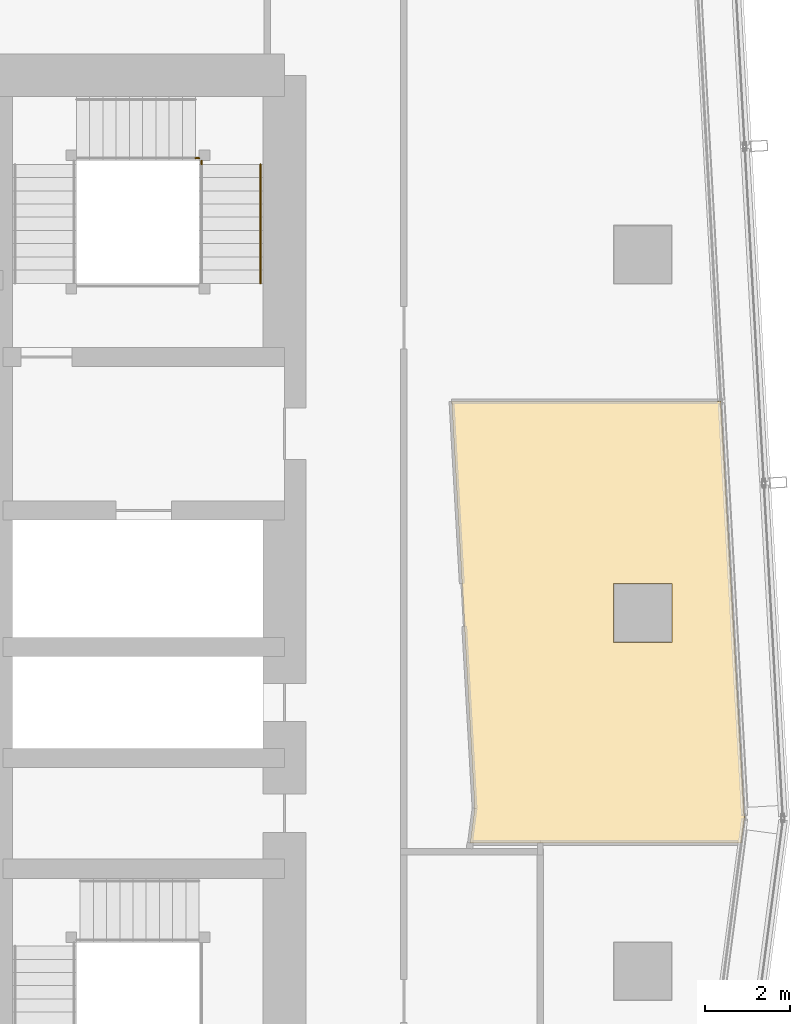
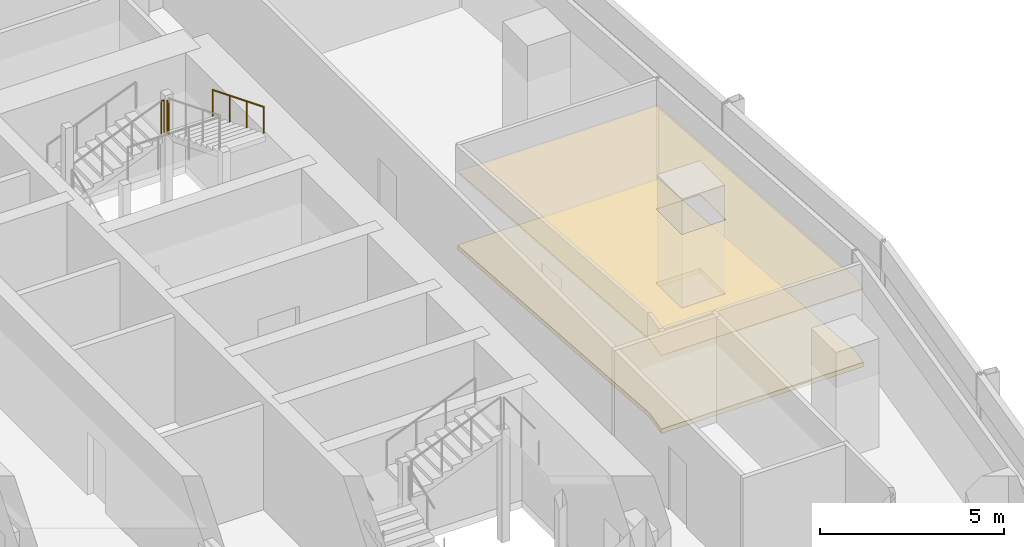
# One storey, part 38 of 39: 3 railings, 2 coverings.
"""IFC4 building model written with IfcOpenShell, lengths in metres."""

from ifc_helpers import new_model, si_unit, direction, frame, origin, origin_2d, place, context, subcontext, project, spatial, polyline, circle, outline, extrude, material, layer, layer_set, type_object, element, save


model = new_model("IFC4")

# Units and contexts
model_context = context("Model", 3, precision=1e-05, world=origin(), true_north=direction((0.0, 1.0)))
body_context = subcontext(model_context, "Body", "Model", "MODEL_VIEW")
ifc_project = project(units=[si_unit("LENGTHUNIT", "METRE"), si_unit("AREAUNIT", "SQUARE_METRE"), si_unit("VOLUMEUNIT", "CUBIC_METRE"), si_unit("PLANEANGLEUNIT", "RADIAN"), si_unit("MASSUNIT", "GRAM", prefix="KILO")], contexts=[model_context])

# Site, building, storey
site_placement = place(None, origin())
site = spatial("IfcSite", under=ifc_project, at=site_placement, CompositionType="ELEMENT")
building_placement = place(site_placement, origin())
building = spatial("IfcBuilding", under=site, at=building_placement, Name="Rekha Terrace Tower", CompositionType="ELEMENT")
storey_placement = place(building_placement, frame((0.0, 0.0, 221.449951171875)))
storey = spatial("IfcBuildingStorey", under=building, at=storey_placement, Name="L56", CompositionType="ELEMENT", Elevation=221.449951171875)

# Covering
ifc_material_1 = material(Name="Mineral fibre tile in exposed grid", Category="finish")
ifc_layer_1 = layer(ifc_material_1, 0.02001953125)
ifc_layer_set_1 = layer_set([ifc_layer_1], Name="Mineral fibre tile in exposed grid")
covering_type_1 = type_object("IfcCoveringType", Name="CL1 600x1200 office grid ceiling", PredefinedType="CEILING", material=ifc_layer_set_1)
covering_1_placement = place(storey_placement, frame((0.0, 0.0, 2.580078125)))
element("IfcCovering", 1, at=covering_1_placement, inside=storey, type_object=covering_type_1, Name="Ceiling L56-04", PredefinedType="CEILING", context=body_context, shape_type="SweptSolid", body=[
    extrude(outline(polyline([(61.18603515625, 28.780029296875), (60.631103515625, 38.554931640625), (54.321044921875, 38.554931640625), (54.862060546875, 29.01708984375), (54.7548828125, 28.208984375), (61.110107421875, 28.208984375), (61.18603515625, 28.780029296875)]), holes=[polyline([(59.489990234375, 34.2900390625), (59.489990234375, 32.909912109375), (58.110107421875, 32.909912109375), (58.110107421875, 34.2900390625), (59.489990234375, 34.2900390625)])]), origin(), (0.0, 0.0, 1.0), 0.02001953125),
])

# Railings
ifc_material_2 = material(Name="Stainless steel balustrade", Category="steel")
railing_type_1 = type_object("IfcRailingType", Name="GR1 1100 stair guard", PredefinedType="GUARDRAIL", material=ifc_material_2)
railing_1_placement = place(storey_placement, frame((48.31494140625, 44.260009765625, 2.5)))
element("IfcRailing", 2, at=railing_1_placement, inside=storey, type_object=railing_type_1, Name="Guard ST2 L56 landing 2", PredefinedType="GUARDRAIL", context=body_context, shape_type="SweptSolid", body=[
    extrude(circle(Radius=0.02392578125, at=origin_2d()), frame((0.0, 0.0, 1.076171875), z_axis=(1.0, 0.0, 0.0), x_axis=(0.0, 1.0, 0.0)), (0.0, 0.0, 1.0), 0.0849609375),
    extrude(circle(Radius=0.02099609375, at=origin_2d()), origin(), (0.0, 0.0, 1.0), 1.052001953125),
    extrude(circle(Radius=0.02099609375, at=origin_2d()), frame((0.0849609375, 0.0, 0.0)), (0.0, 0.0, 1.0), 1.052001953125),
])
railing_2_placement = place(storey_placement, frame((48.4599609375, 44.114990234375, 2.5)))
element("IfcRailing", 3, at=railing_2_placement, inside=storey, type_object=railing_type_1, Name="Guard ST2 L56 landing 3", PredefinedType="GUARDRAIL", context=body_context, shape_type="SweptSolid", body=[
    extrude(circle(Radius=0.02392578125, at=origin_2d()), frame((0.0, 0.0, 1.076171875), z_axis=(0.0, 1.0, 0.0), x_axis=(-1.0, 0.0, 0.0)), (0.0, 0.0, 1.0), 0.0849609375),
    extrude(circle(Radius=0.02099609375, at=origin_2d()), origin(), (0.0, 0.0, 1.0), 1.052001953125),
    extrude(circle(Radius=0.02099609375, at=origin_2d()), frame((0.0, 0.0849609375, 0.0)), (0.0, 0.0, 1.0), 1.052001953125),
])
ifc_material_3 = material(Name="Stainless steel tube", Category="steel")
railing_type_2 = type_object("IfcRailingType", Name="HR1 900 stair handrail", PredefinedType="HANDRAIL", material=ifc_material_3)
railing_3_placement = place(storey_placement, frame((49.840087890625, 44.114990234375, 2.625)))
element("IfcRailing", 4, at=railing_3_placement, inside=storey, type_object=railing_type_2, Name="Handrail ST2 L56 flight 3", PredefinedType="HANDRAIL", context=body_context, shape_type="SweptSolid", body=[
    extrude(circle(Radius=0.02392578125, at=origin_2d()), frame((0.0, 0.0, 0.8759765625), z_axis=(0.0, -0.927443287984, 0.373963831907), x_axis=(1.0, 0.0, 0.0)), (0.0, 0.0, 1.0), 3.00830078125),
    extrude(circle(Radius=0.02099609375, at=origin_2d()), origin(), (0.0, 0.0, 1.0), 0.851806640625),
    extrude(circle(Radius=0.02099609375, at=origin_2d()), frame((0.0, -0.929931640625, 0.375)), (0.0, 0.0, 1.0), 0.851806640625),
    extrude(circle(Radius=0.02099609375, at=origin_2d()), frame((0.0, -1.860107421875, 0.75)), (0.0, 0.0, 1.0), 0.851806640625),
    extrude(circle(Radius=0.02099609375, at=origin_2d()), frame((0.0, -2.7900390625, 1.125)), (0.0, 0.0, 1.0), 0.851806640625),
])

# Covering
ifc_material_4 = material(Name="Calcium sulphate panels on steel pedestals", Category="steel")
ifc_layer_2 = layer(ifc_material_4, 0.14990234375)
ifc_layer_set_2 = layer_set([ifc_layer_2], Name="Calcium sulphate panels on steel pedestals")
covering_type_2 = type_object("IfcCoveringType", Name="RF1 150 raised access floor", PredefinedType="FLOORING", material=ifc_layer_set_2)
covering_2_placement = place(storey_placement, origin())
element("IfcCovering", 5, at=covering_2_placement, inside=storey, type_object=covering_type_2, Name="Raised floor L56-04", PredefinedType="FLOORING", context=body_context, shape_type="SweptSolid", body=[
    extrude(outline(polyline([(61.18603515625, 28.780029296875), (60.631103515625, 38.554931640625), (54.321044921875, 38.554931640625), (54.862060546875, 29.01708984375), (54.7548828125, 28.208984375), (61.110107421875, 28.208984375), (61.18603515625, 28.780029296875)]), holes=[polyline([(59.489990234375, 34.2900390625), (59.489990234375, 32.909912109375), (58.110107421875, 32.909912109375), (58.110107421875, 34.2900390625), (59.489990234375, 34.2900390625)])]), origin(), (0.0, 0.0, 1.0), 0.150146484375),
])

save(model, "model.ifc")
